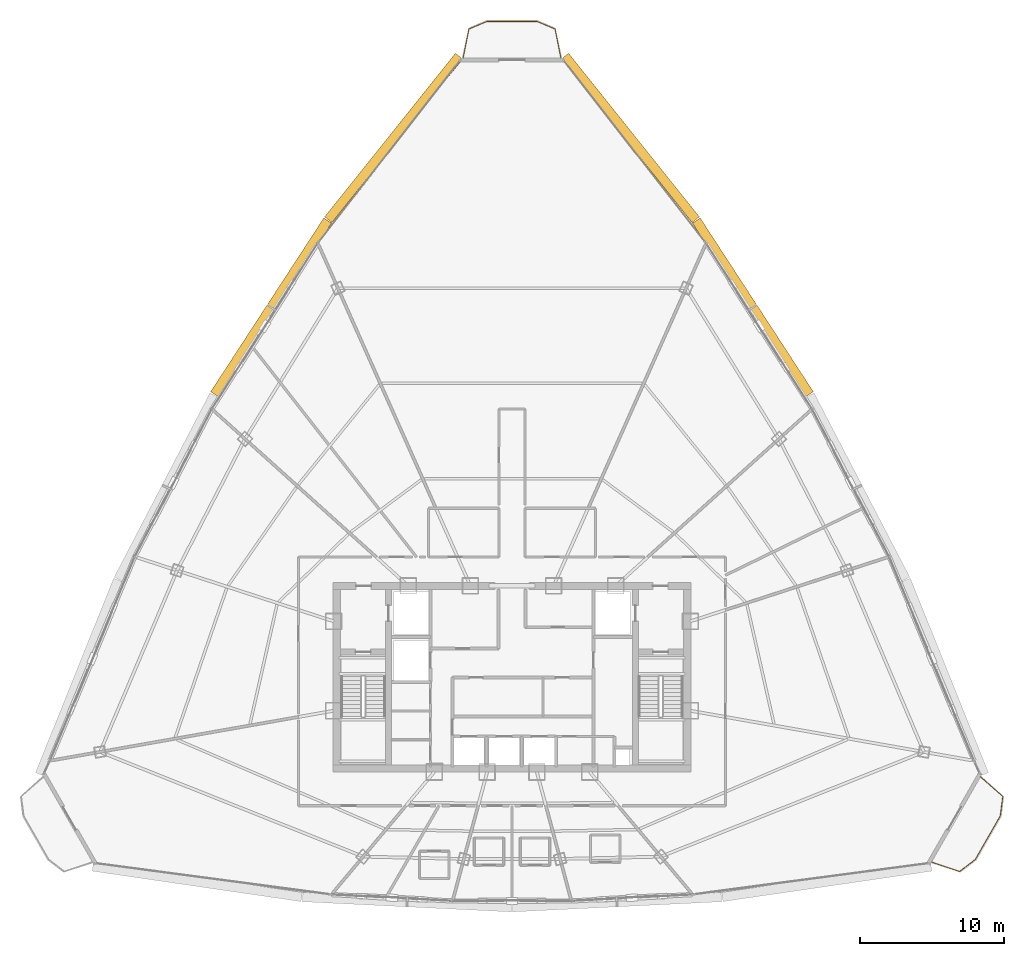
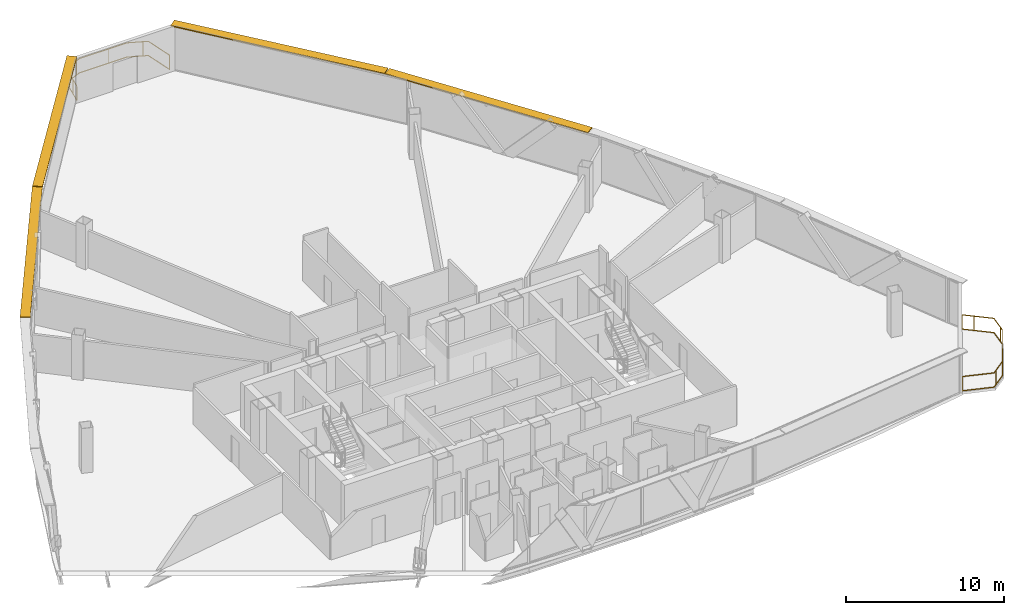
# One storey, part 37 of 37: 4 shading devices, 2 railings.
"""IFC4 building model written with IfcOpenShell, lengths in metres."""

from ifc_helpers import new_model, si_unit, direction, frame, origin, origin_2d, place, context, subcontext, project, spatial, rectangle, extrude, source, transform, mapped, material, layer, layer_set, type_object, element, save


model = new_model("IFC4")

# Units and contexts
model_context = context("Model", 3, precision=1e-05, world=origin(), true_north=direction((0.0, 1.0)))
body_context = subcontext(model_context, "Body", "Model", "MODEL_VIEW")
ifc_project = project(units=[si_unit("LENGTHUNIT", "METRE"), si_unit("AREAUNIT", "SQUARE_METRE"), si_unit("VOLUMEUNIT", "CUBIC_METRE"), si_unit("PLANEANGLEUNIT", "RADIAN"), si_unit("MASSUNIT", "GRAM", prefix="KILO"), si_unit("THERMODYNAMICTEMPERATUREUNIT", "KELVIN"), si_unit("POWERUNIT", "WATT")], contexts=[model_context])

# Site, building, storey
site_placement = place(None, origin())
site = spatial("IfcSite", under=ifc_project, at=site_placement, CompositionType="ELEMENT")
building_placement = place(site_placement, origin())
building = spatial("IfcBuilding", under=site, at=building_placement, Name="Yunzhuo Pagoda Commons", CompositionType="ELEMENT")
storey_placement = place(building_placement, frame((0.0, 0.0, 281.2900390625)))
storey = spatial("IfcBuildingStorey", under=building, at=storey_placement, Name="L70", CompositionType="ELEMENT", Elevation=281.2900390625)

# Railings
ifc_material = material(Name="Anodized aluminium 6063-T6", Category="aluminium")
railing_type = type_object("IfcRailingType", Name="RL-BAL1 Exterior Terrace & Balcony Balustrade 1150", PredefinedType="BALUSTRADE", material=ifc_material)
railing_1_placement = place(storey_placement, frame((77.193603515625, 20.98388671875, 0.0)))
element("IfcRailing", 1, at=railing_1_placement, inside=storey, type_object=railing_type, Name="L70 corner balcony balustrade V2", PredefinedType="BALUSTRADE", context=body_context, shape_type="SweptSolid", body=[
    extrude(rectangle(XDim=0.048095703125, YDim=0.048095703125, at=origin_2d()), frame((0.0, 0.0, 1.1259765625), z_axis=(0.947419062147, -0.319995501031, 0.0), x_axis=(0.319995501031, 0.947419062147, 0.0)), (0.0, 0.0, 1.0), 2.05908203125),
    extrude(rectangle(XDim=0.048095703125, YDim=0.048095703125, at=origin_2d()), frame((0.0, 0.0, 0.02392578125), z_axis=(0.947419062147, -0.319995501031, 0.0), x_axis=(0.319995501031, 0.947419062147, 0.0)), (0.0, 0.0, 1.0), 2.05908203125),
    extrude(rectangle(XDim=0.048095703125, YDim=0.048095703125, at=origin_2d()), frame((1.950927734375, -0.658935546875, 1.1259765625), z_axis=(0.793797866596, 0.608181672684, 0.0), x_axis=(-0.608181672684, 0.793797866596, 0.0)), (0.0, 0.0, 1.0), 1.37451171875),
    extrude(rectangle(XDim=0.048095703125, YDim=0.048095703125, at=origin_2d()), frame((1.950927734375, -0.658935546875, 0.02392578125), z_axis=(0.793797866596, 0.608181672684, 0.0), x_axis=(-0.608181672684, 0.793797866596, 0.0)), (0.0, 0.0, 1.0), 1.37451171875),
    extrude(rectangle(XDim=0.048095703125, YDim=0.048095703125, at=origin_2d()), frame((3.0419921875, 0.177001953125, 1.1259765625), z_axis=(0.49794239508, 0.867210107864, 0.0), x_axis=(-0.867210107864, 0.49794239508, 0.0)), (0.0, 0.0, 1.0), 3.496826171875),
    extrude(rectangle(XDim=0.048095703125, YDim=0.048095703125, at=origin_2d()), frame((3.0419921875, 0.177001953125, 0.02392578125), z_axis=(0.49794239508, 0.867210107864, 0.0), x_axis=(-0.867210107864, 0.49794239508, 0.0)), (0.0, 0.0, 1.0), 3.496826171875),
    extrude(rectangle(XDim=0.048095703125, YDim=0.048095703125, at=origin_2d()), frame((4.783203125, 3.20947265625, 1.1259765625), z_axis=(0.125040239257, 0.99215167115, 0.0), x_axis=(-0.99215167115, 0.125040239257, 0.0)), (0.0, 0.0, 1.0), 1.37451171875),
    extrude(rectangle(XDim=0.048095703125, YDim=0.048095703125, at=origin_2d()), frame((4.783203125, 3.20947265625, 0.02392578125), z_axis=(0.125040239257, 0.99215167115, 0.0), x_axis=(-0.99215167115, 0.125040239257, 0.0)), (0.0, 0.0, 1.0), 1.37451171875),
    extrude(rectangle(XDim=0.048095703125, YDim=0.048095703125, at=origin_2d()), frame((4.955078125, 4.5732421875, 1.1259765625), z_axis=(-0.753933830692, 0.656950362614, 0.0), x_axis=(-0.656950362614, -0.753933830692, 0.0)), (0.0, 0.0, 1.0), 2.05908203125),
    extrude(rectangle(XDim=0.048095703125, YDim=0.048095703125, at=origin_2d()), frame((4.955078125, 4.5732421875, 0.02392578125), z_axis=(-0.753933830692, 0.656950362614, 0.0), x_axis=(-0.656950362614, -0.753933830692, 0.0)), (0.0, 0.0, 1.0), 2.05908203125),
    extrude(rectangle(XDim=0.0419921875, YDim=0.0419921875, at=origin_2d()), origin(), (0.0, 0.0, 1.0), 1.101806640625),
    extrude(rectangle(XDim=0.0419921875, YDim=0.0419921875, at=origin_2d()), frame((2.221435546875, -0.45166015625, 0.0)), (0.0, 0.0, 1.0), 1.101806640625),
    extrude(rectangle(XDim=0.0419921875, YDim=0.0419921875, at=origin_2d()), frame((3.722412109375, 1.36181640625, 0.0)), (0.0, 0.0, 1.0), 1.101806640625),
    extrude(rectangle(XDim=0.0419921875, YDim=0.0419921875, at=origin_2d()), frame((4.81689453125, 3.476806640625, 0.0)), (0.0, 0.0, 1.0), 1.101806640625),
    extrude(rectangle(XDim=0.0419921875, YDim=0.0419921875, at=origin_2d()), frame((3.978759765625, 5.424072265625, 0.0)), (0.0, 0.0, 1.0), 1.101806640625),
    extrude(rectangle(XDim=0.0419921875, YDim=0.0419921875, at=origin_2d()), frame((3.402587890625, 5.926025390625, 0.0)), (0.0, 0.0, 1.0), 1.101806640625),
])
railing_2_placement = place(storey_placement, frame((51.402099609375, 76.9228515625, 0.0)))
element("IfcRailing", 2, at=railing_2_placement, inside=storey, type_object=railing_type, Name="L70 corner balcony balustrade V3", PredefinedType="BALUSTRADE", context=body_context, shape_type="SweptSolid", body=[
    extrude(rectangle(XDim=0.048095703125, YDim=0.048095703125, at=origin_2d()), frame((0.0, 0.0, 1.1259765625), z_axis=(-0.194200568098, 0.980961843983, 0.0), x_axis=(-0.980961843983, -0.194200568098, 0.0)), (0.0, 0.0, 1.0), 2.059326171875),
    extrude(rectangle(XDim=0.048095703125, YDim=0.048095703125, at=origin_2d()), frame((0.0, 0.0, 0.02392578125), z_axis=(-0.194200568098, 0.980961843983, 0.0), x_axis=(-0.980961843983, -0.194200568098, 0.0)), (0.0, 0.0, 1.0), 2.059326171875),
    extrude(rectangle(XDim=0.048095703125, YDim=0.048095703125, at=origin_2d()), frame((-0.39990234375, 2.02001953125, 1.1259765625), z_axis=(-0.921873740634, 0.387490395144, 0.0), x_axis=(-0.387490395144, -0.921873740634, 0.0)), (0.0, 0.0, 1.0), 1.367919921875),
    extrude(rectangle(XDim=0.048095703125, YDim=0.048095703125, at=origin_2d()), frame((-0.39990234375, 2.02001953125, 0.02392578125), z_axis=(-0.921873740634, 0.387490395144, 0.0), x_axis=(-0.387490395144, -0.921873740634, 0.0)), (0.0, 0.0, 1.0), 1.367919921875),
    extrude(rectangle(XDim=0.048095703125, YDim=0.048095703125, at=origin_2d()), frame((-1.660888671875, 2.550048828125, 1.1259765625), z_axis=(-1.0, 0.0, 0.0), x_axis=(0.0, -1.0, 0.0)), (0.0, 0.0, 1.0), 3.482421875),
    extrude(rectangle(XDim=0.048095703125, YDim=0.048095703125, at=origin_2d()), frame((-1.660888671875, 2.550048828125, 0.02392578125), z_axis=(-1.0, 0.0, 0.0), x_axis=(0.0, -1.0, 0.0)), (0.0, 0.0, 1.0), 3.482421875),
    extrude(rectangle(XDim=0.048095703125, YDim=0.048095703125, at=origin_2d()), frame((-5.143310546875, 2.550048828125, 1.1259765625), z_axis=(-0.921873740634, -0.387490395144, 0.0), x_axis=(0.387490395144, -0.921873740634, 0.0)), (0.0, 0.0, 1.0), 1.367919921875),
    extrude(rectangle(XDim=0.048095703125, YDim=0.048095703125, at=origin_2d()), frame((-5.143310546875, 2.550048828125, 0.02392578125), z_axis=(-0.921873740634, -0.387490395144, 0.0), x_axis=(0.387490395144, -0.921873740634, 0.0)), (0.0, 0.0, 1.0), 1.367919921875),
    extrude(rectangle(XDim=0.048095703125, YDim=0.048095703125, at=origin_2d()), frame((-6.404296875, 2.02001953125, 1.1259765625), z_axis=(-0.194200568098, -0.980961843983, 0.0), x_axis=(0.980961843983, -0.194200568098, 0.0)), (0.0, 0.0, 1.0), 2.059326171875),
    extrude(rectangle(XDim=0.048095703125, YDim=0.048095703125, at=origin_2d()), frame((-6.404296875, 2.02001953125, 0.02392578125), z_axis=(-0.194200568098, -0.980961843983, 0.0), x_axis=(0.980961843983, -0.194200568098, 0.0)), (0.0, 0.0, 1.0), 2.059326171875),
    extrude(rectangle(XDim=0.0419921875, YDim=0.0419921875, at=origin_2d()), origin(), (0.0, 0.0, 1.0), 1.101806640625),
    extrude(rectangle(XDim=0.0419921875, YDim=0.0419921875, at=origin_2d()), frame((-0.714111328125, 2.152099609375, 0.0)), (0.0, 0.0, 1.0), 1.101806640625),
    extrude(rectangle(XDim=0.0419921875, YDim=0.0419921875, at=origin_2d()), frame((-3.033935546875, 2.550048828125, 0.0)), (0.0, 0.0, 1.0), 1.101806640625),
    extrude(rectangle(XDim=0.0419921875, YDim=0.0419921875, at=origin_2d()), frame((-5.4111328125, 2.4375, 0.0)), (0.0, 0.0, 1.0), 1.101806640625),
    extrude(rectangle(XDim=0.0419921875, YDim=0.0419921875, at=origin_2d()), frame((-6.6611328125, 0.72265625, 0.0)), (0.0, 0.0, 1.0), 1.101806640625),
    extrude(rectangle(XDim=0.0419921875, YDim=0.0419921875, at=origin_2d()), frame((-6.80419921875, 0.0, 0.0)), (0.0, 0.0, 1.0), 1.101806640625),
])

# Shading devices
ifc_layer = layer(ifc_material, 0.080078125)
ifc_layer_set = layer_set([ifc_layer], Name="Anodized aluminium 6063-T6")
shading_device_type = type_object("IfcShadingDeviceType", Name="SH-SUN1 Pagoda Horizontal Sunshade Eave 650", PredefinedType="USERDEFINED", material=ifc_layer_set)
shared_shape_1 = source(origin(), body_context, "Body", "SweptSolid", [
    extrude(rectangle(XDim=14.5732421875, YDim=0.64990234375, at=origin_2d()), origin(), (0.0, 0.0, 1.0), 0.080078125),
])
for number, where, z_axis, x_axis, name in (
    (3, (56.23291015625, 71.3662109375, 3.389892578125), (0.0, 0.0, 1.0), (-0.624520471688, 0.781008438138, 0.0), "L70 horizontal pagoda sunshade eave F2.4"),
    (4, (39.76708984375, 71.3662109375, 3.389892578125), (0.0, 0.0, 1.0), (-0.624520471688, -0.781008438138, 0.0), "L70 horizontal pagoda sunshade eave F3.1"),
):
    element("IfcShadingDevice", number, at=place(storey_placement, frame(where, z_axis=z_axis, x_axis=x_axis)), inside=storey, type_object=shading_device_type, Name=name, ObjectType="SUNSHADE", PredefinedType="USERDEFINED", context=body_context, shape_type="MappedRepresentation", body=[
        mapped(shared_shape_1, transform((0.0, 0.0, 0.0), scale=1.0)),
    ])
shared_shape_2 = source(origin(), body_context, "Body", "SweptSolid", [
    extrude(rectangle(XDim=14.434814453125, YDim=0.64990234375, at=origin_2d()), origin(), (0.0, 0.0, 1.0), 0.080078125),
])
for number, where, z_axis, x_axis, name in (
    (5, (64.760009765625, 59.57666015625, 3.389892578125), (0.0, 0.0, 1.0), (-0.545838756973, 0.837890238269, 0.0), "L70 horizontal pagoda sunshade eave F2.3"),
    (6, (31.239990234375, 59.57666015625, 3.389892578125), (0.0, 0.0, 1.0), (-0.545838756973, -0.837890238269, 0.0), "L70 horizontal pagoda sunshade eave F3.2"),
):
    element("IfcShadingDevice", number, at=place(storey_placement, frame(where, z_axis=z_axis, x_axis=x_axis)), inside=storey, type_object=shading_device_type, Name=name, ObjectType="SUNSHADE", PredefinedType="USERDEFINED", context=body_context, shape_type="MappedRepresentation", body=[
        mapped(shared_shape_2, transform((0.0, 0.0, 0.0), scale=1.0)),
    ])

save(model, "model.ifc")
